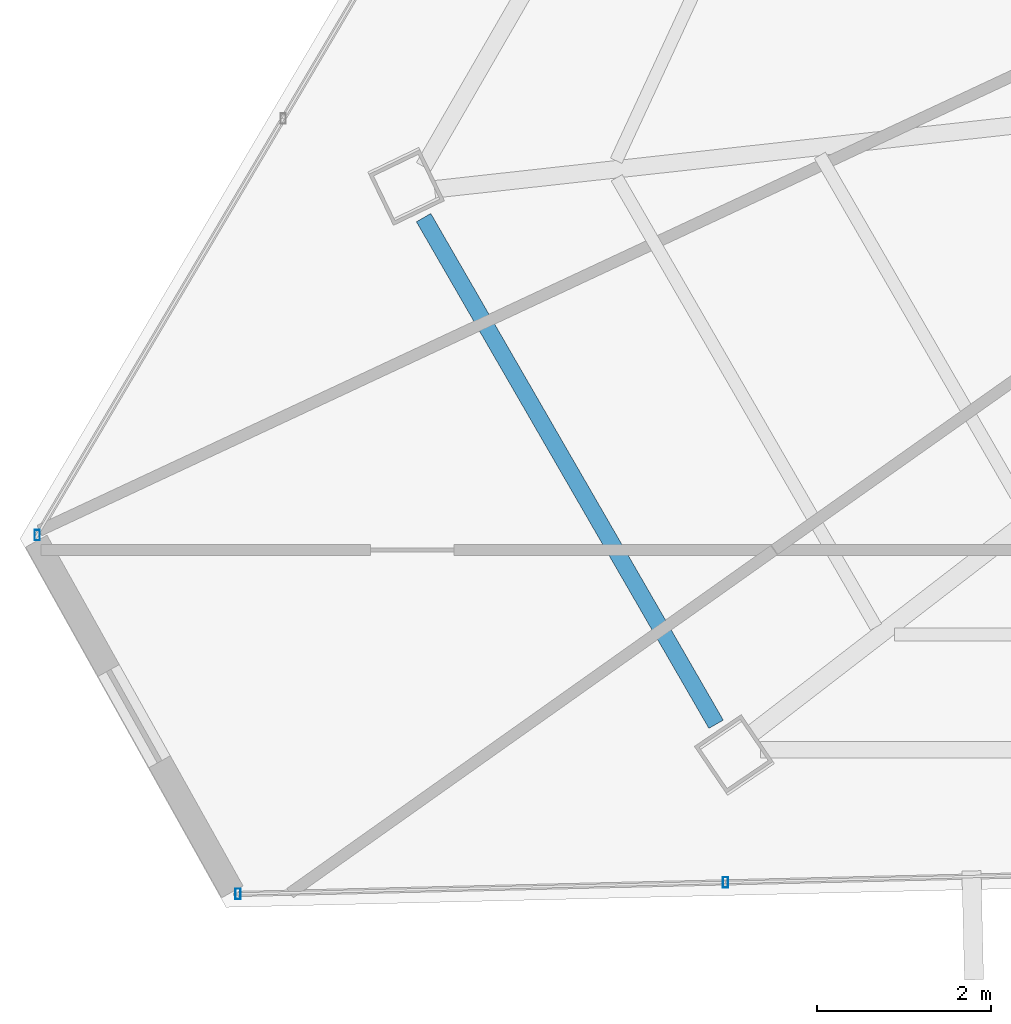
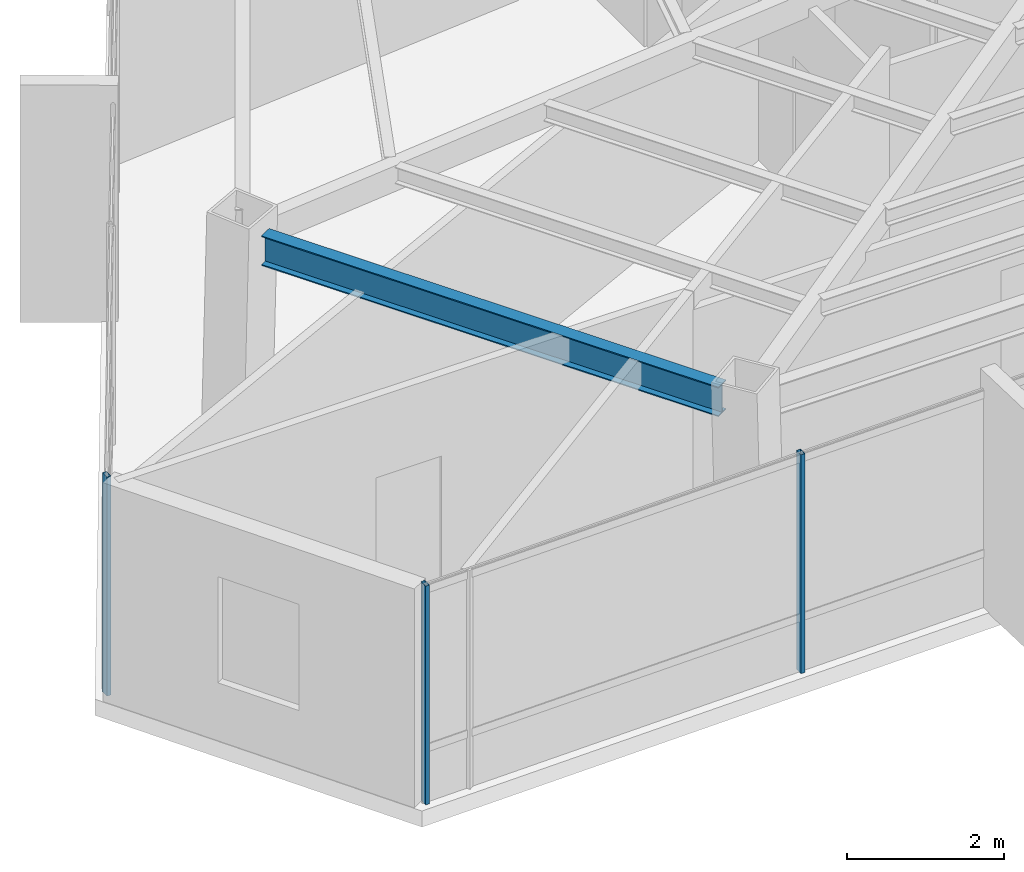
# One storey, part 3 of 44: 3 members, 1 beam, 2 elements without a shape of their own.
"""IFC4 building model written with IfcOpenShell, lengths in metres."""

from ifc_helpers import new_model, si_unit, direction, frame, origin, origin_2d, place, context, subcontext, project, spatial, hollow_rectangle, i_section, extrude, source, transform, mapped, material, material_profile, profile_set, type_object, type_shapes, element, aggregate, save


model = new_model("IFC4")

# Units and contexts
model_context = context("Model", 3, precision=1e-05, world=origin(), true_north=direction((0.0, 1.0)))
body_context = subcontext(model_context, "Body", "Model", "MODEL_VIEW")
ifc_project = project(units=[si_unit("LENGTHUNIT", "METRE"), si_unit("AREAUNIT", "SQUARE_METRE"), si_unit("VOLUMEUNIT", "CUBIC_METRE"), si_unit("PLANEANGLEUNIT", "RADIAN"), si_unit("MASSUNIT", "GRAM", prefix="KILO")], contexts=[model_context])

# Site, building, storey
site_placement = place(None, origin())
site = spatial("IfcSite", under=ifc_project, at=site_placement, CompositionType="ELEMENT")
building_placement = place(site_placement, origin())
building = spatial("IfcBuilding", under=site, at=building_placement, Name="Caelisora Broadcast Tower", CompositionType="ELEMENT")
storey_placement = place(building_placement, frame((0.0, 0.0, 259.050048828125)))
storey = spatial("IfcBuildingStorey", under=building, at=storey_placement, Name="L68", CompositionType="ELEMENT", Elevation=259.050048828125)

# Beam
ifc_material_1 = material(Name="Steel Grade 350 (AS/NZS 3679.1)", Category="steel")
ifc_material_profile_1 = material_profile(ifc_material_1, i_section(OverallWidth=0.19091796875, OverallDepth=0.46044921875, WebThickness=0.010009765625, FlangeThickness=0.01611328125, at=origin_2d()), Name="Steel Grade 350 (AS/NZS 3679.1)")
ifc_profile_set_1 = profile_set([ifc_material_profile_1], Name="Steel Grade 350 (AS/NZS 3679.1)")
beam_type = type_object("IfcBeamType", Name="PG06", PredefinedType="BEAM", material=ifc_profile_set_1)
shared_shape_1 = source(origin(), body_context, "Body", "SweptSolid", [
    extrude(i_section(OverallWidth=0.19091796875, OverallDepth=0.46044921875, WebThickness=0.010009765625, FlangeThickness=0.01611328125, at=origin_2d()), origin(), (0.0, 0.0, 1.0), 6.71484375),
])
type_shapes(beam_type, [shared_shape_1])
beam_placement = place(storey_placement, frame((16.6748046875, 15.564697265625, 3.169677734375), z_axis=(0.500002561588, -0.866023924846, 0.0), x_axis=(0.866023924846, 0.500002561588, 0.0)))
element("IfcBeam", 1, at=beam_placement, inside=storey, type_object=beam_type, Name="L68 beam PG06", PredefinedType="BEAM", context=body_context, shape_type="MappedRepresentation", body=[
    mapped(shared_shape_1, transform((0.0, 0.0, 0.0), scale=1.0)),
])

# Curtain wall, members
ifc_material_2 = material(Name="Unitised Aluminium and Low-E Glass Curtain Wall", Category="glass")
curtain_wall_type = type_object("IfcCurtainWallType", Name="CW-Z5", PredefinedType="NOTDEFINED", material=ifc_material_2)
curtain_wall_1_placement = place(storey_placement, origin())
curtain_wall_1 = element("IfcCurtainWall", 2, at=curtain_wall_1_placement, inside=storey, type_object=curtain_wall_type, Name="L68 curtain wall CW-Z5", PredefinedType="NOTDEFINED")
ifc_material_3 = material(Name="Aluminium 6063-T6 Anodised Terracotta Bronze", Category="aluminium")
ifc_material_profile_2 = material_profile(ifc_material_3, hollow_rectangle(XDim=0.06005859375, YDim=0.1201171875, WallThickness=0.0029296875, at=origin_2d()), Name="Aluminium 6063-T6 Anodised Terracotta Bronze")
ifc_profile_set_2 = profile_set([ifc_material_profile_2], Name="Aluminium 6063-T6 Anodised Terracotta Bronze")
member_type = type_object("IfcMemberType", Name="CWM-04", PredefinedType="MULLION", material=ifc_profile_set_2)
shared_shape_2 = source(origin(), body_context, "Body", "SweptSolid", [
    extrude(hollow_rectangle(XDim=0.06005859375, YDim=0.1201171875, WallThickness=0.0029296875, at=origin_2d()), origin(), (0.0, 0.0, 1.0), 3.39990234375),
])
type_shapes(member_type, [shared_shape_2])
member_1_placement = place(storey_placement, frame((20.139892578125, 7.93408203125, 0.0), z_axis=(0.0, 0.0, 1.0), x_axis=(1.0, 0.0, 0.0)))
member_1 = element("IfcMember", 3, at=member_1_placement, type_object=member_type, Name="L68-CW-B07 mullion #2", PredefinedType="MULLION", context=body_context, shape_type="MappedRepresentation", body=[
    mapped(shared_shape_2, transform((0.0, 0.0, 0.0), scale=1.0)),
])
member_2_placement = place(storey_placement, frame((14.5439453125, 7.80126953125, 0.0), z_axis=(0.0, 0.0, 1.0), x_axis=(1.0, 0.0, 0.0)))
member_2 = element("IfcMember", 4, at=member_2_placement, type_object=member_type, Name="L68-CW-B07 mullion #3", PredefinedType="MULLION", context=body_context, shape_type="MappedRepresentation", body=[
    mapped(shared_shape_2, transform((0.0, 0.0, 0.0), scale=1.0)),
])
aggregate(curtain_wall_1, [member_1, member_2])

# Curtain wall, member
curtain_wall_2_placement = place(storey_placement, origin())
curtain_wall_2 = element("IfcCurtainWall", 5, at=curtain_wall_2_placement, inside=storey, type_object=curtain_wall_type, Name="L68 curtain wall CW-Z5", PredefinedType="NOTDEFINED")
member_3_placement = place(storey_placement, frame((12.240478515625, 11.920166015625, 0.0), z_axis=(0.0, 0.0, 1.0), x_axis=(1.0, 0.0, 0.0)))
member_3 = element("IfcMember", 6, at=member_3_placement, type_object=member_type, Name="L68-CW-B09 mullion #0", PredefinedType="MULLION", context=body_context, shape_type="MappedRepresentation", body=[
    mapped(shared_shape_2, transform((0.0, 0.0, 0.0), scale=1.0)),
])
aggregate(curtain_wall_2, [member_3])

save(model, "model.ifc")
